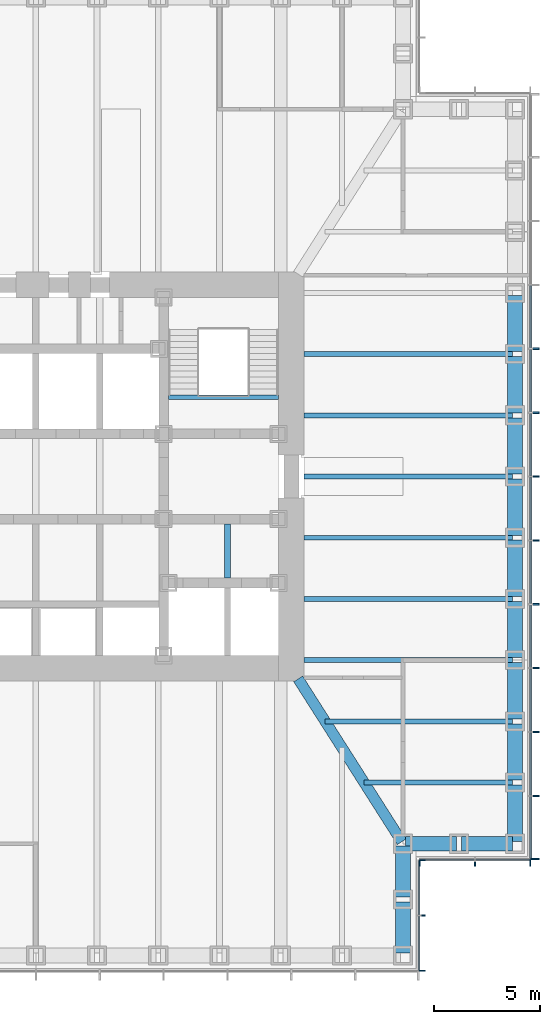
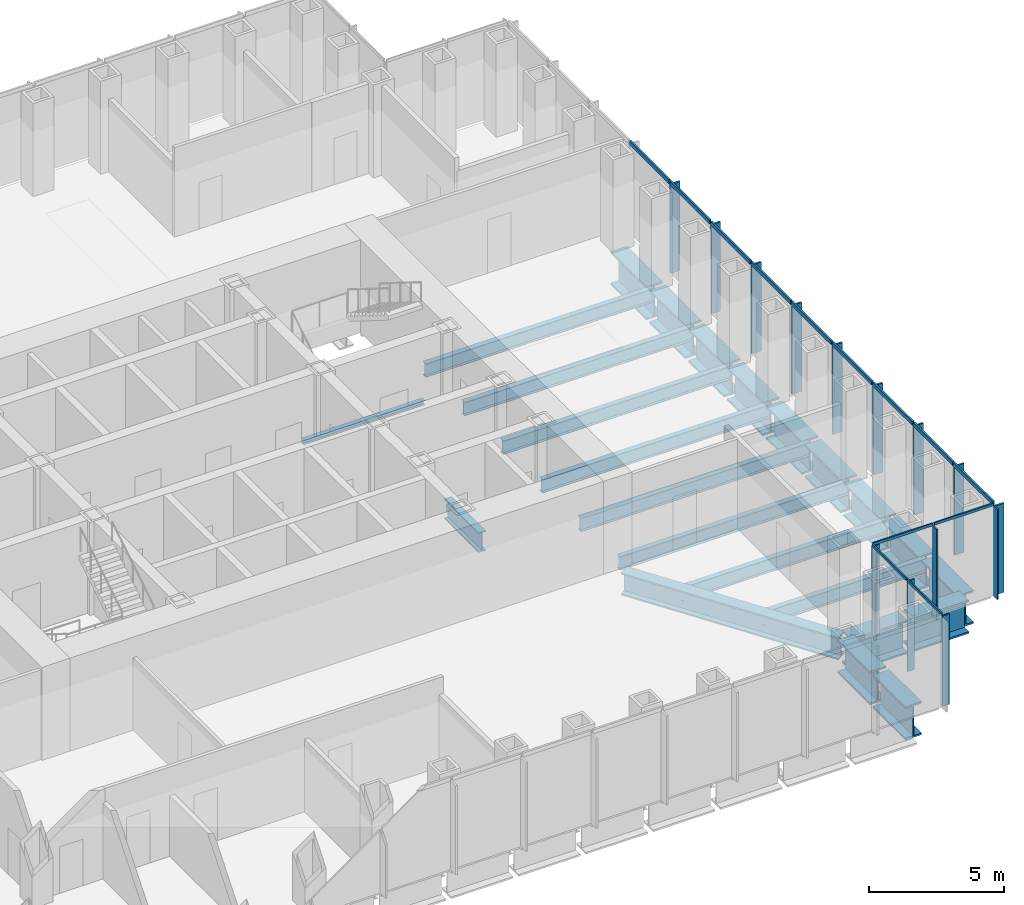
# One storey, part 4 of 17: 28 members, 24 beams, 3 elements without a shape of their own.
"""IFC4 building model written with IfcOpenShell, lengths in metres."""

from ifc_helpers import new_model, si_unit, direction, frame, origin, origin_2d, place, context, subcontext, project, spatial, rectangle, i_section, extrude, material, material_profile, profile_set, type_object, element, aggregate, save


model = new_model("IFC4")

# Units and contexts
model_context = context("Model", 3, precision=1e-05, world=origin(), true_north=direction((0.0, 1.0)))
body_context = subcontext(model_context, "Body", "Model", "MODEL_VIEW")
ifc_project = project(units=[si_unit("LENGTHUNIT", "METRE"), si_unit("AREAUNIT", "SQUARE_METRE"), si_unit("VOLUMEUNIT", "CUBIC_METRE"), si_unit("PLANEANGLEUNIT", "RADIAN"), si_unit("MASSUNIT", "GRAM", prefix="KILO")], contexts=[model_context])

# Site, building, storey
site_placement = place(None, origin())
site = spatial("IfcSite", under=ifc_project, at=site_placement, CompositionType="ELEMENT")
building_placement = place(site_placement, origin())
building = spatial("IfcBuilding", under=site, at=building_placement, Name="Daluyong Arena Tower", CompositionType="ELEMENT")
storey_placement = place(building_placement, frame((0.0, 0.0, 158.5)))
storey = spatial("IfcBuildingStorey", under=building, at=storey_placement, Name="L35", CompositionType="ELEMENT", Elevation=158.5)

# Curtain wall, members
ifc_material_1 = material(Name="Bronze anodised aluminium and glass", Category="aluminium")
curtain_wall_type_1 = type_object("IfcCurtainWallType", Name="Curtain wall CW2", PredefinedType="USERDEFINED", material=ifc_material_1)
curtain_wall_1_placement = place(storey_placement, origin())
curtain_wall_1 = element("IfcCurtainWall", 1, at=curtain_wall_1_placement, inside=storey, type_object=curtain_wall_type_1, Name="curtain wall L35 E", ObjectType="UNITISED CURTAIN WALL", PredefinedType="USERDEFINED")
ifc_material_2 = material(Name="Bronze anodised aluminium fin", Category="aluminium")
ifc_material_profile_1 = material_profile(ifc_material_2, rectangle(XDim=0.39990234375, YDim=0.080078125, at=origin_2d()))
ifc_profile_set_1 = profile_set([ifc_material_profile_1], Name="Bronze anodised aluminium fin")
member_type_1 = type_object("IfcMemberType", Name="CW2 bronze fin 400x80", PredefinedType="MULLION", material=ifc_profile_set_1)
member_1_placement = place(storey_placement, frame((79.449951171875, 62.0400390625, 0.0), z_axis=(0.0, 0.0, 1.0), x_axis=(-1.0, 0.0, 0.0)))
member_1 = element("IfcMember", 2, at=member_1_placement, type_object=member_type_1, Name="curtain wall L35 E fin 1", PredefinedType="MULLION", context=body_context, shape_type="SweptSolid", body=[
    extrude(rectangle(XDim=0.39990234375, YDim=0.080078125, at=origin_2d()), origin(), (0.0, 0.0, 1.0), 4.02001953125),
])
member_2_placement = place(storey_placement, frame((79.449951171875, 65.0, 0.0), z_axis=(0.0, 0.0, 1.0), x_axis=(-1.0, 0.0, 0.0)))
member_2 = element("IfcMember", 3, at=member_2_placement, type_object=member_type_1, Name="curtain wall L35 E fin 2", PredefinedType="MULLION", context=body_context, shape_type="SweptSolid", body=[
    extrude(rectangle(XDim=0.39990234375, YDim=0.080078125, at=origin_2d()), origin(), (0.0, 0.0, 1.0), 4.02001953125),
])
member_3_placement = place(storey_placement, frame((79.449951171875, 68.0, 0.0), z_axis=(0.0, 0.0, 1.0), x_axis=(-1.0, 0.0, 0.0)))
member_3 = element("IfcMember", 4, at=member_3_placement, type_object=member_type_1, Name="curtain wall L35 E fin 3", PredefinedType="MULLION", context=body_context, shape_type="SweptSolid", body=[
    extrude(rectangle(XDim=0.39990234375, YDim=0.080078125, at=origin_2d()), origin(), (0.0, 0.0, 1.0), 4.02001953125),
])
member_4_placement = place(storey_placement, frame((79.449951171875, 71.0, 0.0), z_axis=(0.0, 0.0, 1.0), x_axis=(-1.0, 0.0, 0.0)))
member_4 = element("IfcMember", 5, at=member_4_placement, type_object=member_type_1, Name="curtain wall L35 E fin 4", PredefinedType="MULLION", context=body_context, shape_type="SweptSolid", body=[
    extrude(rectangle(XDim=0.39990234375, YDim=0.080078125, at=origin_2d()), origin(), (0.0, 0.0, 1.0), 4.02001953125),
])
member_5_placement = place(storey_placement, frame((79.449951171875, 74.0, 0.0), z_axis=(0.0, 0.0, 1.0), x_axis=(-1.0, 0.0, 0.0)))
member_5 = element("IfcMember", 6, at=member_5_placement, type_object=member_type_1, Name="curtain wall L35 E fin 5", PredefinedType="MULLION", context=body_context, shape_type="SweptSolid", body=[
    extrude(rectangle(XDim=0.39990234375, YDim=0.080078125, at=origin_2d()), origin(), (0.0, 0.0, 1.0), 4.02001953125),
])
member_6_placement = place(storey_placement, frame((79.449951171875, 77.0, 0.0), z_axis=(0.0, 0.0, 1.0), x_axis=(-1.0, 0.0, 0.0)))
member_6 = element("IfcMember", 7, at=member_6_placement, type_object=member_type_1, Name="curtain wall L35 E fin 6", PredefinedType="MULLION", context=body_context, shape_type="SweptSolid", body=[
    extrude(rectangle(XDim=0.39990234375, YDim=0.080078125, at=origin_2d()), origin(), (0.0, 0.0, 1.0), 4.02001953125),
])
member_7_placement = place(storey_placement, frame((79.449951171875, 80.0, 0.0), z_axis=(0.0, 0.0, 1.0), x_axis=(-1.0, 0.0, 0.0)))
member_7 = element("IfcMember", 8, at=member_7_placement, type_object=member_type_1, Name="curtain wall L35 E fin 7", PredefinedType="MULLION", context=body_context, shape_type="SweptSolid", body=[
    extrude(rectangle(XDim=0.39990234375, YDim=0.080078125, at=origin_2d()), origin(), (0.0, 0.0, 1.0), 4.02001953125),
])
member_8_placement = place(storey_placement, frame((79.449951171875, 83.0, 0.0), z_axis=(0.0, 0.0, 1.0), x_axis=(-1.0, 0.0, 0.0)))
member_8 = element("IfcMember", 9, at=member_8_placement, type_object=member_type_1, Name="curtain wall L35 E fin 8", PredefinedType="MULLION", context=body_context, shape_type="SweptSolid", body=[
    extrude(rectangle(XDim=0.39990234375, YDim=0.080078125, at=origin_2d()), origin(), (0.0, 0.0, 1.0), 4.02001953125),
])
member_9_placement = place(storey_placement, frame((79.449951171875, 86.0, 0.0), z_axis=(0.0, 0.0, 1.0), x_axis=(-1.0, 0.0, 0.0)))
member_9 = element("IfcMember", 10, at=member_9_placement, type_object=member_type_1, Name="curtain wall L35 E fin 9", PredefinedType="MULLION", context=body_context, shape_type="SweptSolid", body=[
    extrude(rectangle(XDim=0.39990234375, YDim=0.080078125, at=origin_2d()), origin(), (0.0, 0.0, 1.0), 4.02001953125),
])
ifc_material_3 = material(Name="Bronze anodised aluminium", Category="aluminium")
ifc_material_profile_2 = material_profile(ifc_material_3, rectangle(XDim=0.080078125, YDim=0.179931640625, at=origin_2d()))
ifc_profile_set_2 = profile_set([ifc_material_profile_2], Name="Bronze anodised aluminium")
member_type_2 = type_object("IfcMemberType", Name="CW2 stack transom 180x80", PredefinedType="USERDEFINED", material=ifc_profile_set_2)
member_10_placement = place(storey_placement, frame((79.25, 62.080078125, 4.110107421875), z_axis=(0.0, 1.0, 0.0), x_axis=(-1.0, 0.0, 0.0)))
member_10 = element("IfcMember", 11, at=member_10_placement, type_object=member_type_2, Name="curtain wall L35 E transom 1", ObjectType="TRANSOM", PredefinedType="USERDEFINED", context=body_context, shape_type="SweptSolid", body=[
    extrude(rectangle(XDim=0.080078125, YDim=0.179931640625, at=origin_2d()), origin(), (0.0, 0.0, 1.0), 2.8798828125),
])
member_11_placement = place(storey_placement, frame((79.25, 65.0400390625, 4.110107421875), z_axis=(0.0, 1.0, 0.0), x_axis=(-1.0, 0.0, 0.0)))
member_11 = element("IfcMember", 12, at=member_11_placement, type_object=member_type_2, Name="curtain wall L35 E transom 2", ObjectType="TRANSOM", PredefinedType="USERDEFINED", context=body_context, shape_type="SweptSolid", body=[
    extrude(rectangle(XDim=0.080078125, YDim=0.179931640625, at=origin_2d()), origin(), (0.0, 0.0, 1.0), 2.919921875),
])
member_12_placement = place(storey_placement, frame((79.25, 68.0400390625, 4.110107421875), z_axis=(0.0, 1.0, 0.0), x_axis=(-1.0, 0.0, 0.0)))
member_12 = element("IfcMember", 13, at=member_12_placement, type_object=member_type_2, Name="curtain wall L35 E transom 3", ObjectType="TRANSOM", PredefinedType="USERDEFINED", context=body_context, shape_type="SweptSolid", body=[
    extrude(rectangle(XDim=0.080078125, YDim=0.179931640625, at=origin_2d()), origin(), (0.0, 0.0, 1.0), 2.919921875),
])
member_13_placement = place(storey_placement, frame((79.25, 71.0400390625, 4.110107421875), z_axis=(0.0, 1.0, 0.0), x_axis=(-1.0, 0.0, 0.0)))
member_13 = element("IfcMember", 14, at=member_13_placement, type_object=member_type_2, Name="curtain wall L35 E transom 4", ObjectType="TRANSOM", PredefinedType="USERDEFINED", context=body_context, shape_type="SweptSolid", body=[
    extrude(rectangle(XDim=0.080078125, YDim=0.179931640625, at=origin_2d()), origin(), (0.0, 0.0, 1.0), 2.919921875),
])
member_14_placement = place(storey_placement, frame((79.25, 74.0400390625, 4.110107421875), z_axis=(0.0, 1.0, 0.0), x_axis=(-1.0, 0.0, 0.0)))
member_14 = element("IfcMember", 15, at=member_14_placement, type_object=member_type_2, Name="curtain wall L35 E transom 5", ObjectType="TRANSOM", PredefinedType="USERDEFINED", context=body_context, shape_type="SweptSolid", body=[
    extrude(rectangle(XDim=0.080078125, YDim=0.179931640625, at=origin_2d()), origin(), (0.0, 0.0, 1.0), 2.919921875),
])
member_15_placement = place(storey_placement, frame((79.25, 77.0400390625, 4.110107421875), z_axis=(0.0, 1.0, 0.0), x_axis=(-1.0, 0.0, 0.0)))
member_15 = element("IfcMember", 16, at=member_15_placement, type_object=member_type_2, Name="curtain wall L35 E transom 6", ObjectType="TRANSOM", PredefinedType="USERDEFINED", context=body_context, shape_type="SweptSolid", body=[
    extrude(rectangle(XDim=0.080078125, YDim=0.179931640625, at=origin_2d()), origin(), (0.0, 0.0, 1.0), 2.919921875),
])
member_16_placement = place(storey_placement, frame((79.25, 80.0400390625, 4.110107421875), z_axis=(0.0, 1.0, 0.0), x_axis=(-1.0, 0.0, 0.0)))
member_16 = element("IfcMember", 17, at=member_16_placement, type_object=member_type_2, Name="curtain wall L35 E transom 7", ObjectType="TRANSOM", PredefinedType="USERDEFINED", context=body_context, shape_type="SweptSolid", body=[
    extrude(rectangle(XDim=0.080078125, YDim=0.179931640625, at=origin_2d()), origin(), (0.0, 0.0, 1.0), 2.919921875),
])
member_17_placement = place(storey_placement, frame((79.25, 83.0400390625, 4.110107421875), z_axis=(0.0, 1.0, 0.0), x_axis=(-1.0, 0.0, 0.0)))
member_17 = element("IfcMember", 18, at=member_17_placement, type_object=member_type_2, Name="curtain wall L35 E transom 8", ObjectType="TRANSOM", PredefinedType="USERDEFINED", context=body_context, shape_type="SweptSolid", body=[
    extrude(rectangle(XDim=0.080078125, YDim=0.179931640625, at=origin_2d()), origin(), (0.0, 0.0, 1.0), 2.919921875),
])
member_18_placement = place(storey_placement, frame((79.25, 86.0400390625, 4.110107421875), z_axis=(0.0, 1.0, 0.0), x_axis=(-1.0, 0.0, 0.0)))
member_18 = element("IfcMember", 19, at=member_18_placement, type_object=member_type_2, Name="curtain wall L35 E transom 9", ObjectType="TRANSOM", PredefinedType="USERDEFINED", context=body_context, shape_type="SweptSolid", body=[
    extrude(rectangle(XDim=0.080078125, YDim=0.179931640625, at=origin_2d()), origin(), (0.0, 0.0, 1.0), 2.919921875),
])
aggregate(curtain_wall_1, [member_1, member_2, member_3, member_4, member_5, member_6, member_7, member_8, member_9, member_10, member_11, member_12, member_13, member_14, member_15, member_16, member_17, member_18])

ifc_material_4 = material(Name="Bronze anodised aluminium and glass", Category="aluminium")
curtain_wall_type_2 = type_object("IfcCurtainWallType", Name="Curtain wall CW7", PredefinedType="USERDEFINED", material=ifc_material_4)
curtain_wall_2_placement = place(storey_placement, origin())
curtain_wall_2 = element("IfcCurtainWall", 20, at=curtain_wall_2_placement, inside=storey, type_object=curtain_wall_type_2, Name="curtain wall L35 SE-E", ObjectType="UNITISED CURTAIN WALL", PredefinedType="USERDEFINED")
ifc_material_5 = material(Name="Bronze anodised aluminium fin", Category="aluminium")
ifc_material_profile_3 = material_profile(ifc_material_5, rectangle(XDim=0.300048828125, YDim=0.06005859375, at=origin_2d()))
ifc_profile_set_3 = profile_set([ifc_material_profile_3], Name="Bronze anodised aluminium fin")
member_type_3 = type_object("IfcMemberType", Name="CW7 bronze fin 300x60", PredefinedType="MULLION", material=ifc_profile_set_3)
member_19_placement = place(storey_placement, frame((74.14990234375, 56.780029296875, 0.0), z_axis=(0.0, 0.0, 1.0), x_axis=(-1.0, 0.0, 0.0)))
member_19 = element("IfcMember", 21, at=member_19_placement, type_object=member_type_3, Name="curtain wall L35 SE-E fin 1", PredefinedType="MULLION", context=body_context, shape_type="SweptSolid", body=[
    extrude(rectangle(XDim=0.300048828125, YDim=0.06005859375, at=origin_2d()), origin(), (0.0, 0.0, 1.0), 4.080078125),
])
member_20_placement = place(storey_placement, frame((74.14990234375, 59.375, 0.0), z_axis=(0.0, 0.0, 1.0), x_axis=(-1.0, 0.0, 0.0)))
member_20 = element("IfcMember", 22, at=member_20_placement, type_object=member_type_3, Name="curtain wall L35 SE-E fin 2", PredefinedType="MULLION", context=body_context, shape_type="SweptSolid", body=[
    extrude(rectangle(XDim=0.300048828125, YDim=0.06005859375, at=origin_2d()), origin(), (0.0, 0.0, 1.0), 4.080078125),
])
member_21_placement = place(storey_placement, frame((74.14990234375, 61.969970703125, 0.0), z_axis=(0.0, 0.0, 1.0), x_axis=(-1.0, 0.0, 0.0)))
member_21 = element("IfcMember", 23, at=member_21_placement, type_object=member_type_3, Name="curtain wall L35 SE-E fin 3", PredefinedType="MULLION", context=body_context, shape_type="SweptSolid", body=[
    extrude(rectangle(XDim=0.300048828125, YDim=0.06005859375, at=origin_2d()), origin(), (0.0, 0.0, 1.0), 4.080078125),
])

curtain_wall_3_placement = place(storey_placement, origin())
curtain_wall_3 = element("IfcCurtainWall", 24, at=curtain_wall_3_placement, inside=storey, type_object=curtain_wall_type_2, Name="curtain wall L35 SE-S", ObjectType="UNITISED CURTAIN WALL", PredefinedType="USERDEFINED")
member_22_placement = place(storey_placement, frame((74.030029296875, 61.85009765625, 0.0), z_axis=(0.0, 0.0, 1.0), x_axis=(0.0, 1.0, 0.0)))
member_22 = element("IfcMember", 25, at=member_22_placement, type_object=member_type_3, Name="curtain wall L35 SE-S fin 1", PredefinedType="MULLION", context=body_context, shape_type="SweptSolid", body=[
    extrude(rectangle(XDim=0.300048828125, YDim=0.06005859375, at=origin_2d()), origin(), (0.0, 0.0, 1.0), 4.080078125),
])
member_23_placement = place(storey_placement, frame((76.625, 61.85009765625, 0.0), z_axis=(0.0, 0.0, 1.0), x_axis=(0.0, 1.0, 0.0)))
member_23 = element("IfcMember", 26, at=member_23_placement, type_object=member_type_3, Name="curtain wall L35 SE-S fin 2", PredefinedType="MULLION", context=body_context, shape_type="SweptSolid", body=[
    extrude(rectangle(XDim=0.300048828125, YDim=0.06005859375, at=origin_2d()), origin(), (0.0, 0.0, 1.0), 4.080078125),
])
member_24_placement = place(storey_placement, frame((79.219970703125, 61.85009765625, 0.0), z_axis=(0.0, 0.0, 1.0), x_axis=(0.0, 1.0, 0.0)))
member_24 = element("IfcMember", 27, at=member_24_placement, type_object=member_type_3, Name="curtain wall L35 SE-S fin 3", PredefinedType="MULLION", context=body_context, shape_type="SweptSolid", body=[
    extrude(rectangle(XDim=0.300048828125, YDim=0.06005859375, at=origin_2d()), origin(), (0.0, 0.0, 1.0), 4.080078125),
])

# Member
ifc_material_6 = material(Name="Bronze anodised aluminium", Category="aluminium")
ifc_material_profile_4 = material_profile(ifc_material_6, rectangle(XDim=0.06005859375, YDim=0.1201171875, at=origin_2d()))
ifc_profile_set_4 = profile_set([ifc_material_profile_4], Name="Bronze anodised aluminium")
member_type_4 = type_object("IfcMemberType", Name="CW7 stack transom 120x60", PredefinedType="USERDEFINED", material=ifc_profile_set_4)
member_25_placement = place(storey_placement, frame((74.0, 56.81005859375, 4.139892578125), z_axis=(0.0, 1.0, 0.0), x_axis=(-1.0, 0.0, 0.0)))
member_25 = element("IfcMember", 28, at=member_25_placement, type_object=member_type_4, Name="curtain wall L35 SE-E transom 1", ObjectType="TRANSOM", PredefinedType="USERDEFINED", context=body_context, shape_type="SweptSolid", body=[
    extrude(rectangle(XDim=0.06005859375, YDim=0.1201171875, at=origin_2d()), origin(), (0.0, 0.0, 1.0), 2.534912109375),
])

member_26_placement = place(storey_placement, frame((74.0, 59.405029296875, 4.139892578125), z_axis=(0.0, 1.0, 0.0), x_axis=(-1.0, 0.0, 0.0)))
member_26 = element("IfcMember", 29, at=member_26_placement, type_object=member_type_4, Name="curtain wall L35 SE-E transom 2", ObjectType="TRANSOM", PredefinedType="USERDEFINED", context=body_context, shape_type="SweptSolid", body=[
    extrude(rectangle(XDim=0.06005859375, YDim=0.1201171875, at=origin_2d()), origin(), (0.0, 0.0, 1.0), 2.534912109375),
])

aggregate(curtain_wall_2, [member_19, member_20, member_21, member_25, member_26])

member_27_placement = place(storey_placement, frame((74.06005859375, 62.0, 4.139892578125), z_axis=(1.0, 0.0, 0.0), x_axis=(0.0, 1.0, 0.0)))
member_27 = element("IfcMember", 30, at=member_27_placement, type_object=member_type_4, Name="curtain wall L35 SE-S transom 1", ObjectType="TRANSOM", PredefinedType="USERDEFINED", context=body_context, shape_type="SweptSolid", body=[
    extrude(rectangle(XDim=0.06005859375, YDim=0.1201171875, at=origin_2d()), origin(), (0.0, 0.0, 1.0), 2.534912109375),
])

member_28_placement = place(storey_placement, frame((76.655029296875, 62.0, 4.139892578125), z_axis=(1.0, 0.0, 0.0), x_axis=(0.0, 1.0, 0.0)))
member_28 = element("IfcMember", 31, at=member_28_placement, type_object=member_type_4, Name="curtain wall L35 SE-S transom 2", ObjectType="TRANSOM", PredefinedType="USERDEFINED", context=body_context, shape_type="SweptSolid", body=[
    extrude(rectangle(XDim=0.06005859375, YDim=0.1201171875, at=origin_2d()), origin(), (0.0, 0.0, 1.0), 2.534912109375),
])

aggregate(curtain_wall_3, [member_22, member_23, member_24, member_27, member_28])

# Beams
ifc_material_7 = material(Name="Steel ASTM A572 Grade 50", Category="steel")
ifc_material_profile_5 = material_profile(ifc_material_7, i_section(OverallWidth=0.5, OverallDepth=1.0, WebThickness=0.03, FlangeThickness=0.06, at=origin_2d()))
ifc_profile_set_5 = profile_set([ifc_material_profile_5], Name="Steel ASTM A572 Grade 50")
beam_type_1 = type_object("IfcBeamType", Name="Corner girder TB1000X500", PredefinedType="BEAM", material=ifc_profile_set_5)
beam_1_placement = place(storey_placement, frame((73.188232421875, 62.846923828125, -0.659912109375), z_axis=(-0.536872006459, 0.843663705916, 0.0), x_axis=(-0.843663705916, -0.536872006459, 0.0)))
element("IfcBeam", 32, at=beam_1_placement, inside=storey, type_object=beam_type_1, Name="corner girder DG2", PredefinedType="BEAM", context=body_context, shape_type="SweptSolid", body=[
    extrude(i_section(OverallWidth=0.5, OverallDepth=1.0, WebThickness=0.03, FlangeThickness=0.06, at=origin_2d()), origin(), (0.0, 0.0, 1.0), 9.06396484375),
])
ifc_material_8 = material(Name="Steel ASTM A992 Grade 50", Category="steel")
ifc_material_profile_6 = material_profile(ifc_material_8, i_section(OverallWidth=0.22900390625, OverallDepth=0.612060546875, WebThickness=0.011962890625, FlangeThickness=0.01953125, at=origin_2d()))
ifc_profile_set_6 = profile_set([ifc_material_profile_6], Name="Steel ASTM A992 Grade 50")
beam_type_2 = type_object("IfcBeamType", Name="Floor beam W24X84", PredefinedType="BEAM", material=ifc_profile_set_6)
beam_2_placement = place(storey_placement, frame((78.385009765625, 65.625, -0.466064453125), z_axis=(-1.0, 0.0, 0.0), x_axis=(0.0, -1.0, 0.0)))
element("IfcBeam", 33, at=beam_2_placement, inside=storey, type_object=beam_type_2, Name="floor beam FB3", PredefinedType="BEAM", context=body_context, shape_type="SweptSolid", body=[
    extrude(i_section(OverallWidth=0.22900390625, OverallDepth=0.612060546875, WebThickness=0.011962890625, FlangeThickness=0.01953125, at=origin_2d()), origin(), (0.0, 0.0, 1.0), 6.964599609375),
])
beam_3_placement = place(storey_placement, frame((78.385009765625, 68.5, -0.466064453125), z_axis=(-1.0, 0.0, 0.0), x_axis=(0.0, -1.0, 0.0)))
element("IfcBeam", 34, at=beam_3_placement, inside=storey, type_object=beam_type_2, Name="floor beam FB3", PredefinedType="BEAM", context=body_context, shape_type="SweptSolid", body=[
    extrude(i_section(OverallWidth=0.22900390625, OverallDepth=0.612060546875, WebThickness=0.011962890625, FlangeThickness=0.01953125, at=origin_2d()), origin(), (0.0, 0.0, 1.0), 8.794189453125),
])
for number, where, z_axis, x_axis, name in (
    (35, (78.385009765625, 71.375, -0.466064453125), (-1.0, 0.0, 0.0), (0.0, -1.0, 0.0), "floor beam FB3"),
    (36, (78.385009765625, 74.25, -0.466064453125), (-1.0, 0.0, 0.0), (0.0, -1.0, 0.0), "floor beam FB3"),
    (37, (78.385009765625, 77.125, -0.466064453125), (-1.0, 0.0, 0.0), (0.0, -1.0, 0.0), "floor beam FB3"),
    (38, (78.385009765625, 80.0, -0.466064453125), (-1.0, 0.0, 0.0), (0.0, -1.0, 0.0), "floor beam FB3"),
    (39, (78.385009765625, 82.875, -0.466064453125), (-1.0, 0.0, 0.0), (0.0, -1.0, 0.0), "floor beam FB3"),
    (40, (78.385009765625, 85.75, -0.466064453125), (-1.0, 0.0, 0.0), (0.0, -1.0, 0.0), "floor beam FB3"),
):
    element("IfcBeam", number, at=place(storey_placement, frame(where, z_axis=z_axis, x_axis=x_axis)), inside=storey, type_object=beam_type_2, Name=name, PredefinedType="BEAM", context=body_context, shape_type="SweptSolid", body=[
        extrude(i_section(OverallWidth=0.22900390625, OverallDepth=0.612060546875, WebThickness=0.011962890625, FlangeThickness=0.01953125, at=origin_2d()), origin(), (0.0, 0.0, 1.0), 9.784912109375),
    ])
ifc_material_9 = material(Name="Steel ASTM A572 Grade 50", Category="steel")
ifc_material_profile_7 = material_profile(ifc_material_9, i_section(OverallWidth=0.300048828125, OverallDepth=0.89990234375, WebThickness=0.025, FlangeThickness=0.04, at=origin_2d()))
ifc_profile_set_7 = profile_set([ifc_material_profile_7], Name="Steel ASTM A572 Grade 50")
beam_type_3 = type_object("IfcBeamType", Name="Lift divider beam PG900X300", PredefinedType="BEAM", material=ifc_profile_set_7)
beam_4_placement = place(storey_placement, frame((65.0, 75.22509765625, -0.610107421875), z_axis=(0.0, 1.0, 0.0), x_axis=(-1.0, 0.0, 0.0)))
element("IfcBeam", 41, at=beam_4_placement, inside=storey, type_object=beam_type_3, Name="lift divider beam DB1", PredefinedType="BEAM", context=body_context, shape_type="SweptSolid", body=[
    extrude(i_section(OverallWidth=0.300048828125, OverallDepth=0.89990234375, WebThickness=0.025, FlangeThickness=0.04, at=origin_2d()), origin(), (0.0, 0.0, 1.0), 2.5498046875),
])
ifc_material_10 = material(Name="Steel ASTM A572 Grade 50", Category="steel")
ifc_material_profile_8 = material_profile(ifc_material_10, i_section(OverallWidth=0.699951171875, OverallDepth=1.5, WebThickness=0.04, FlangeThickness=0.08, at=origin_2d()))
ifc_profile_set_8 = profile_set([ifc_material_profile_8], Name="Steel ASTM A572 Grade 50")
beam_type_4 = type_object("IfcBeamType", Name="Spandrel Z2 PG1500X700", PredefinedType="SPANDREL", material=ifc_profile_set_8)
for number, where, z_axis, x_axis, name in (
    (42, (73.25, 57.614990234375, -0.909912109375), (0.0, 1.0, 0.0), (-1.0, 0.0, 0.0), "spandrel z2 SB6"),
    (43, (73.25, 60.239990234375, -0.909912109375), (0.0, 1.0, 0.0), (-1.0, 0.0, 0.0), "spandrel z2 SB6"),
    (44, (73.364990234375, 62.75, -0.909912109375), (1.0, 0.0, 0.0), (0.0, 1.0, 0.0), "spandrel z2 SB6"),
    (45, (75.989990234375, 62.75, -0.909912109375), (1.0, 0.0, 0.0), (0.0, 1.0, 0.0), "spandrel z2 SB6"),
):
    element("IfcBeam", number, at=place(storey_placement, frame(where, z_axis=z_axis, x_axis=x_axis)), inside=storey, type_object=beam_type_4, Name=name, PredefinedType="SPANDREL", context=body_context, shape_type="SweptSolid", body=[
        extrude(i_section(OverallWidth=0.699951171875, OverallDepth=1.5, WebThickness=0.04, FlangeThickness=0.08, at=origin_2d()), origin(), (0.0, 0.0, 1.0), 2.39501953125),
    ])
for number, where, z_axis, x_axis, name in (
    (46, (78.5, 62.864990234375, -0.909912109375), (0.0, 1.0, 0.0), (-1.0, 0.0, 0.0), "spandrel z2 SB6"),
    (47, (78.5, 65.739990234375, -0.909912109375), (0.0, 1.0, 0.0), (-1.0, 0.0, 0.0), "spandrel z2 SB6"),
    (48, (78.5, 68.614990234375, -0.909912109375), (0.0, 1.0, 0.0), (-1.0, 0.0, 0.0), "spandrel z2 SB6"),
    (49, (78.5, 71.489990234375, -0.909912109375), (0.0, 1.0, 0.0), (-1.0, 0.0, 0.0), "spandrel z2 SB6"),
    (50, (78.5, 74.364990234375, -0.909912109375), (0.0, 1.0, 0.0), (-1.0, 0.0, 0.0), "spandrel z2 SB6"),
    (51, (78.5, 77.239990234375, -0.909912109375), (0.0, 1.0, 0.0), (-1.0, 0.0, 0.0), "spandrel z2 SB6"),
    (52, (78.5, 80.114990234375, -0.909912109375), (0.0, 1.0, 0.0), (-1.0, 0.0, 0.0), "spandrel z2 SB6"),
    (53, (78.5, 82.989990234375, -0.909912109375), (0.0, 1.0, 0.0), (-1.0, 0.0, 0.0), "spandrel z2 SB6"),
    (54, (78.5, 85.864990234375, -0.909912109375), (0.0, 1.0, 0.0), (-1.0, 0.0, 0.0), "spandrel z2 SB6"),
):
    element("IfcBeam", number, at=place(storey_placement, frame(where, z_axis=z_axis, x_axis=x_axis)), inside=storey, type_object=beam_type_4, Name=name, PredefinedType="SPANDREL", context=body_context, shape_type="SweptSolid", body=[
        extrude(i_section(OverallWidth=0.699951171875, OverallDepth=1.5, WebThickness=0.04, FlangeThickness=0.08, at=origin_2d()), origin(), (0.0, 0.0, 1.0), 2.64501953125),
    ])
ifc_material_11 = material(Name="Steel ASTM A992 Grade 50", Category="steel")
ifc_material_profile_9 = material_profile(ifc_material_11, i_section(OverallWidth=0.203125, OverallDepth=0.203125, WebThickness=0.00732421875, FlangeThickness=0.010986328125, at=origin_2d()))
ifc_profile_set_9 = profile_set([ifc_material_profile_9], Name="Steel ASTM A992 Grade 50")
beam_type_5 = type_object("IfcBeamType", Name="Stair landing beam W8X31", PredefinedType="BEAM", material=ifc_profile_set_9)
beam_5_placement = place(storey_placement, frame((62.22509765625, 83.723388671875, -0.26171875), z_axis=(1.0, 0.0, 0.0), x_axis=(0.0, 1.0, 0.0)))
element("IfcBeam", 55, at=beam_5_placement, inside=storey, type_object=beam_type_5, Name="exit stair B landing beam", PredefinedType="BEAM", context=body_context, shape_type="SweptSolid", body=[
    extrude(i_section(OverallWidth=0.203125, OverallDepth=0.203125, WebThickness=0.00732421875, FlangeThickness=0.010986328125, at=origin_2d()), origin(), (0.0, 0.0, 1.0), 5.1748046875),
])

save(model, "model.ifc")
